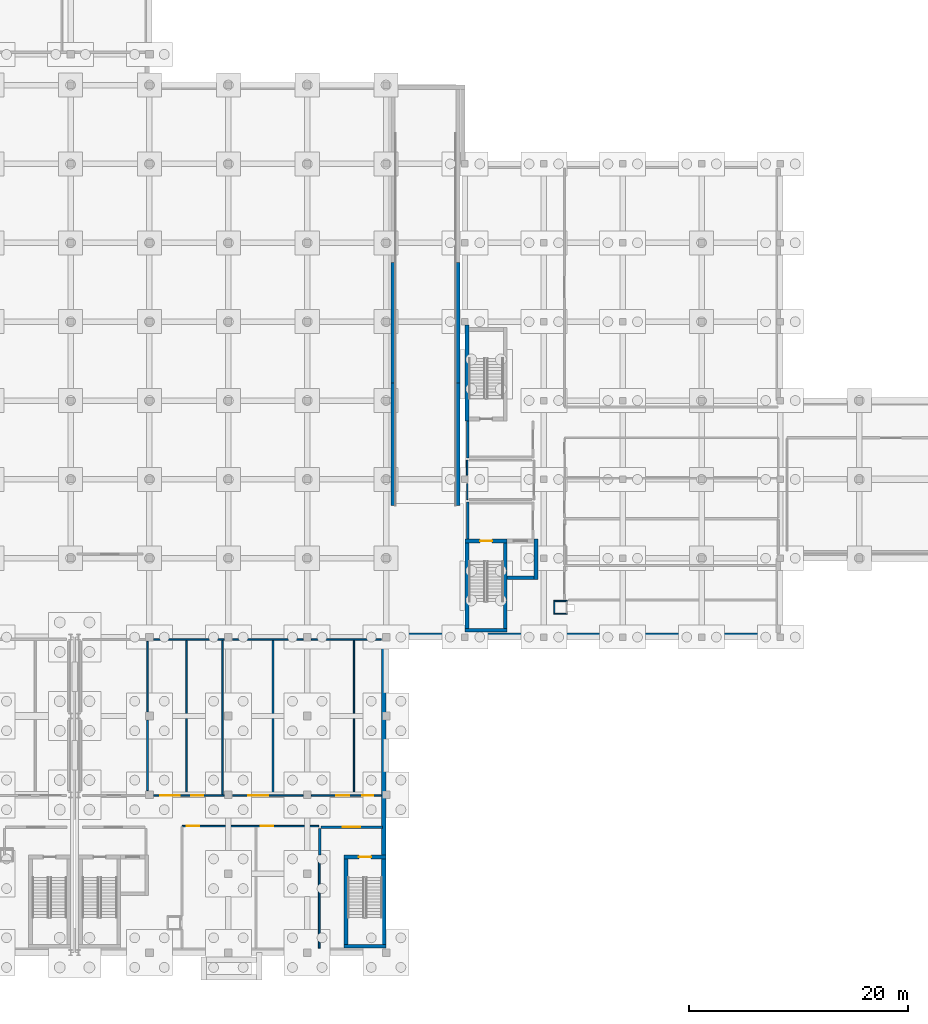
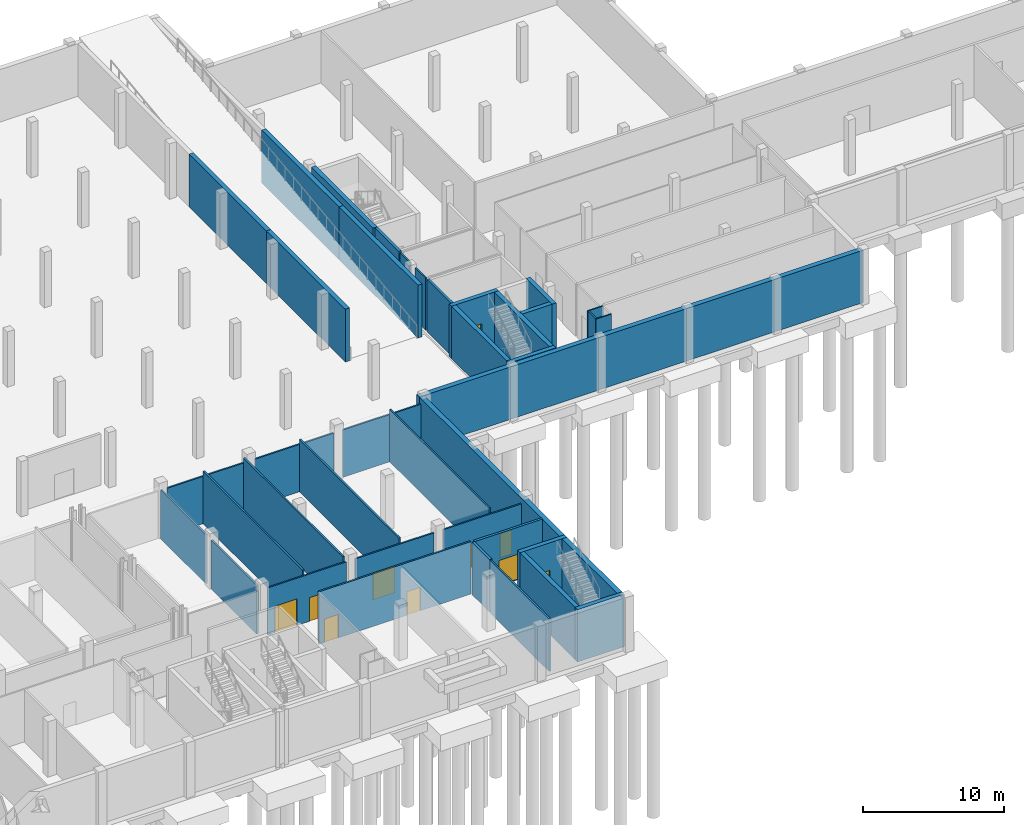
# One storey, part 19 of 35: 39 walls, 10 doors, 10 openings.
"""IFC4 building model written with IfcOpenShell, lengths in metres."""

from ifc_helpers import new_model, si_unit, direction, frame, frame_2d, origin, place, context, subcontext, project, spatial, rectangle, extrude, material, layer, layer_set, type_object, element, fill, save


model = new_model("IFC4")

# Units and contexts
model_context = context("Model", 3, precision=1e-05, world=origin(), true_north=direction((0.0, 1.0)))
body_context = subcontext(model_context, "Body", "Model", "MODEL_VIEW")
ifc_project = project(units=[si_unit("LENGTHUNIT", "METRE"), si_unit("AREAUNIT", "SQUARE_METRE"), si_unit("VOLUMEUNIT", "CUBIC_METRE"), si_unit("PLANEANGLEUNIT", "RADIAN"), si_unit("MASSUNIT", "GRAM", prefix="KILO")], contexts=[model_context])

# Site, building, storey
site_placement = place(None, origin())
site = spatial("IfcSite", under=ifc_project, at=site_placement, CompositionType="ELEMENT")
building_placement = place(site_placement, origin())
building = spatial("IfcBuilding", under=site, at=building_placement, Name="Zarrinpeak Specialist Clinic", CompositionType="ELEMENT")
storey_placement = place(building_placement, frame((0.0, 0.0, -4.800048828125)))
storey = spatial("IfcBuildingStorey", under=building, at=storey_placement, Name="B01", CompositionType="ELEMENT", Elevation=-4.800048828125)

# Wall
ifc_material_1 = material(Name="Concrete C40/50", Category="concrete")
ifc_layer_1 = layer(ifc_material_1, 0.35009765625)
ifc_layer_set_1 = layer_set([ifc_layer_1], Name="Concrete C40/50")
wall_type_1 = type_object("IfcWallType", Name="WL-CR350", PredefinedType="SHEAR", material=ifc_layer_set_1)
wall_1_placement = place(storey_placement, frame((93.60009765625, 29.425048828125, 0.0), z_axis=(0.0, 0.0, 1.0), x_axis=(1.0, 0.0, 0.0)))
element("IfcWall", 1, at=wall_1_placement, inside=storey, type_object=wall_type_1, Name="B01 Core C05 Shear Wall STS", PredefinedType="SHEAR", context=body_context, shape_type="SweptSolid", body=[
    extrude(rectangle(XDim=3.849853515625, YDim=0.35009765625, at=frame_2d((1.9248046875, 0.0))), origin(), (0.0, 0.0, 1.0), 4.545166015625),
])

# Wall, opening, door
wall_2_placement = place(storey_placement, frame((93.60009765625, 37.574951171875, 0.0), z_axis=(0.0, 0.0, 1.0), x_axis=(1.0, 0.0, 0.0)))
wall_2 = element("IfcWall", 2, at=wall_2_placement, inside=storey, type_object=wall_type_1, Name="B01 Core C05 Shear Wall STN", PredefinedType="SHEAR", context=body_context, shape_type="SweptSolid", body=[
    extrude(rectangle(XDim=3.849853515625, YDim=0.35009765625, at=frame_2d((1.9248046875, 0.0))), origin(), (0.0, 0.0, 1.0), 4.545166015625),
])
opening_1_placement = place(wall_2_placement, frame((1.375, 0.0, 0.0)))
opening_1 = element("IfcOpeningElement", 3, at=opening_1_placement, cuts=wall_2, Name="Opening D-S02", PredefinedType="OPENING", context=body_context, shape_type="SweptSolid", body=[
    extrude(rectangle(XDim=1.10009765625, YDim=2.14990234375, at=frame_2d((0.550048828125, 1.074951171875))), frame((0.0, 0.18505859375, 0.0), z_axis=(0.0, -1.0, 0.0), x_axis=(1.0, 0.0, 0.0)), (0.0, 0.0, 1.0), 0.3701171875),
])
ifc_material_2 = material(Name="Powder-Coated Galvanised Steel", Category="steel")
door_type_1 = type_object("IfcDoorType", Name="DR-FD110", OperationType="SINGLE_SWING_RIGHT", PredefinedType="DOOR", material=ifc_material_2)
door_1_placement = place(opening_1_placement, frame((1.10009765625, 0.0, 0.0), z_axis=(0.0, 0.0, 1.0), x_axis=(-1.0, 0.0, 0.0)))
door_1 = element("IfcDoor", 4, at=door_1_placement, inside=storey, type_object=door_type_1, Name="B01 Protected Stair ST-05 Fire Door", OperationType="SINGLE_SWING_RIGHT", OverallHeight=2.14990234375, OverallWidth=1.10009765625, PredefinedType="DOOR", context=body_context, shape_type="SweptSolid", body=[
    extrude(rectangle(XDim=1.10009765625, YDim=2.14990234375, at=frame_2d((0.550048828125, 1.074951171875))), frame((0.0, 0.02490234375, 0.0), z_axis=(0.0, -1.0, 0.0), x_axis=(1.0, 0.0, 0.0)), (0.0, 0.0, 1.0), 0.050048828125),
])
fill(opening_1, door_1)

# Walls
for number, where, z_axis, x_axis, name in (
    (5, (93.77490234375, 29.60009765625, 0.0), (0.0, 0.0, 1.0), (0.0, 1.0, 0.0), "B01 Core C05 Shear Wall STW"),
    (6, (97.27490234375, 29.60009765625, 0.0), (0.0, 0.0, 1.0), (0.0, 1.0, 0.0), "B01 Core C05 Shear Wall STE"),
):
    element("IfcWall", number, at=place(storey_placement, frame(where, z_axis=z_axis, x_axis=x_axis)), inside=storey, type_object=wall_type_1, Name=name, PredefinedType="SHEAR", context=body_context, shape_type="SweptSolid", body=[
        extrude(rectangle(XDim=7.7998046875, YDim=0.35009765625, at=frame_2d((3.89990234375, 0.0))), origin(), (0.0, 0.0, 1.0), 4.545166015625),
    ])
wall_3_placement = place(storey_placement, frame((97.449951171875, 34.22509765625, 0.0), z_axis=(0.0, 0.0, 1.0), x_axis=(1.0, 0.0, 0.0)))
element("IfcWall", 7, at=wall_3_placement, inside=storey, type_object=wall_type_1, Name="B01 Lift LF-P3 Shaft Wall LFS", PredefinedType="SHEAR", context=body_context, shape_type="SweptSolid", body=[
    extrude(rectangle(XDim=2.449951171875, YDim=0.35009765625, at=frame_2d((1.22509765625, 0.0))), origin(), (0.0, 0.0, 1.0), 4.545166015625),
])
wall_4_placement = place(storey_placement, frame((100.074951171875, 34.050048828125, 0.0), z_axis=(0.0, 0.0, 1.0), x_axis=(0.0, 1.0, 0.0)))
element("IfcWall", 8, at=wall_4_placement, inside=storey, type_object=wall_type_1, Name="B01 Lift LF-P3 Shaft Wall LFE", PredefinedType="SHEAR", context=body_context, shape_type="SweptSolid", body=[
    extrude(rectangle(XDim=3.699951171875, YDim=0.35009765625, at=frame_2d((1.85009765625, 0.0))), origin(), (0.0, 0.0, 1.0), 4.545166015625),
])
wall_5_placement = place(storey_placement, frame((93.77490234375, 48.550048828125, 0.0), z_axis=(0.0, 0.0, 1.0), x_axis=(0.0, 1.0, 0.0)))
element("IfcWall", 9, at=wall_5_placement, inside=storey, type_object=wall_type_1, Name="B01 Core C06 Shear Wall STW", PredefinedType="SHEAR", context=body_context, shape_type="SweptSolid", body=[
    extrude(rectangle(XDim=8.75, YDim=0.35009765625, at=frame_2d((4.375, 0.0))), origin(), (0.0, 0.0, 1.0), 4.545166015625),
])
wall_6_placement = place(storey_placement, frame((82.550048828125, 0.574951171875, 0.0), z_axis=(0.0, 0.0, 1.0), x_axis=(1.0, 0.0, 0.0)))
element("IfcWall", 10, at=wall_6_placement, inside=storey, type_object=wall_type_1, Name="B01 Core C08 Shear Wall STS", PredefinedType="SHEAR", context=body_context, shape_type="SweptSolid", body=[
    extrude(rectangle(XDim=3.849853515625, YDim=0.35009765625, at=frame_2d((1.9248046875, 0.0))), origin(), (0.0, 0.0, 1.0), 4.545166015625),
])

# Wall, opening, door
wall_7_placement = place(storey_placement, frame((82.550048828125, 8.72509765625, 0.0), z_axis=(0.0, 0.0, 1.0), x_axis=(1.0, 0.0, 0.0)))
wall_7 = element("IfcWall", 11, at=wall_7_placement, inside=storey, type_object=wall_type_1, Name="B01 Core C08 Shear Wall STN", PredefinedType="SHEAR", context=body_context, shape_type="SweptSolid", body=[
    extrude(rectangle(XDim=3.849853515625, YDim=0.35009765625, at=frame_2d((1.9248046875, 0.0))), origin(), (0.0, 0.0, 1.0), 4.545166015625),
])
opening_2_placement = place(wall_7_placement, frame((1.375, 0.0, 0.0)))
opening_2 = element("IfcOpeningElement", 12, at=opening_2_placement, cuts=wall_7, Name="Opening D-S02", PredefinedType="OPENING", context=body_context, shape_type="SweptSolid", body=[
    extrude(rectangle(XDim=1.10009765625, YDim=2.14990234375, at=frame_2d((0.550048828125, 1.074951171875))), frame((0.0, 0.18505859375, 0.0), z_axis=(0.0, -1.0, 0.0), x_axis=(1.0, 0.0, 0.0)), (0.0, 0.0, 1.0), 0.3701171875),
])
door_2_placement = place(opening_2_placement, frame((1.10009765625, 0.0, 0.0), z_axis=(0.0, 0.0, 1.0), x_axis=(-1.0, 0.0, 0.0)))
door_2 = element("IfcDoor", 13, at=door_2_placement, inside=storey, type_object=door_type_1, Name="B01 Protected Stair ST-08 Fire Door", OperationType="SINGLE_SWING_RIGHT", OverallHeight=2.14990234375, OverallWidth=1.10009765625, PredefinedType="DOOR", context=body_context, shape_type="SweptSolid", body=[
    extrude(rectangle(XDim=1.10009765625, YDim=2.14990234375, at=frame_2d((0.550048828125, 1.074951171875))), frame((0.0, 0.02490234375, 0.0), z_axis=(0.0, -1.0, 0.0), x_axis=(1.0, 0.0, 0.0)), (0.0, 0.0, 1.0), 0.050048828125),
])
fill(opening_2, door_2)

# Walls
wall_8_placement = place(storey_placement, frame((82.72509765625, 0.75, 0.0), z_axis=(0.0, 0.0, 1.0), x_axis=(0.0, 1.0, 0.0)))
element("IfcWall", 14, at=wall_8_placement, inside=storey, type_object=wall_type_1, Name="B01 Core C08 Shear Wall STW", PredefinedType="SHEAR", context=body_context, shape_type="SweptSolid", body=[
    extrude(rectangle(XDim=7.800048828125, YDim=0.35009765625, at=frame_2d((3.89990234375, 0.0))), origin(), (0.0, 0.0, 1.0), 4.545166015625),
])
ifc_material_3 = material(Name="Sanitary Service Chase Plumbing Wall", Category="gypsum")
ifc_layer_2 = layer(ifc_material_3, 0.110107421875)
ifc_layer_set_2 = layer_set([ifc_layer_2], Name="Sanitary Service Chase Plumbing Wall")
wall_type_2 = type_object("IfcWallType", Name="WL-IW110", PredefinedType="PARTITIONING", material=ifc_layer_set_2)
for number, where, z_axis, x_axis, name in (
    (15, (101.68994140625, 30.945068359375, 0.0), (0.0, 0.0, 1.0), (1.0, 0.0, 0.0), "B01 V3 Enclosed MEP Service Riser Wall S"),
    (16, (101.68994140625, 32.10498046875, 0.0), (0.0, 0.0, 1.0), (1.0, 0.0, 0.0), "B01 V3 Enclosed MEP Service Riser Wall N"),
):
    element("IfcWall", number, at=place(storey_placement, frame(where, z_axis=z_axis, x_axis=x_axis)), inside=storey, type_object=wall_type_2, Name=name, PredefinedType="PARTITIONING", context=body_context, shape_type="SweptSolid", body=[
        extrude(rectangle(XDim=1.27001953125, YDim=0.110107421875, at=frame_2d((0.635009765625, 0.0))), origin(), (0.0, 0.0, 1.0), 4.5400390625),
    ])
wall_9_placement = place(storey_placement, frame((101.7451171875, 31.0, 0.0), z_axis=(0.0, 0.0, 1.0), x_axis=(0.0, 1.0, 0.0)))
element("IfcWall", 17, at=wall_9_placement, inside=storey, type_object=wall_type_2, Name="B01 V3 Enclosed MEP Service Riser Wall W", PredefinedType="PARTITIONING", context=body_context, shape_type="SweptSolid", body=[
    extrude(rectangle(XDim=1.050048828125, YDim=0.110107421875, at=frame_2d((0.52490234375, 0.0))), origin(), (0.0, 0.0, 1.0), 4.5400390625),
])
wall_10_placement = place(storey_placement, frame((93.800048828125, 41.35009765625, 0.0), z_axis=(0.0, 0.0, 1.0), x_axis=(0.0, 1.0, 0.0)))
element("IfcWall", 18, at=wall_10_placement, inside=storey, type_object=wall_type_2, Name="B01 B01 V3 Assisted Rehab Washroom Dividing Partition", PredefinedType="PARTITIONING", context=body_context, shape_type="SweptSolid", body=[
    extrude(rectangle(XDim=1.469970703125, YDim=0.110107421875, at=frame_2d((0.73486328125, 0.0))), origin(), (0.0, 0.0, 1.0), 4.545166015625),
])

# Wall, openings, doors
ifc_material_4 = material(Name="Moisture-Resistant Wet-Room Partition", Category="gypsum")
ifc_layer_3 = layer(ifc_material_4, 0.125)
ifc_layer_set_3 = layer_set([ifc_layer_3], Name="Moisture-Resistant Wet-Room Partition")
wall_type_3 = type_object("IfcWallType", Name="WL-IW125W", PredefinedType="PARTITIONING", material=ifc_layer_set_3)
wall_11_placement = place(storey_placement, frame((65.179931640625, 14.35009765625, 0.0), z_axis=(0.0, 0.0, 1.0), x_axis=(1.0, 0.0, 0.0)))
wall_11 = element("IfcWall", 19, at=wall_11_placement, inside=storey, type_object=wall_type_3, Name="B01 Accessible CSSD Staff WC Partition", PredefinedType="PARTITIONING", context=body_context, shape_type="SweptSolid", body=[
    extrude(rectangle(XDim=6.440185546875, YDim=0.125, at=frame_2d((3.22021484375, 0.0))), origin(), (0.0, 0.0, 1.0), 4.094970703125),
])
opening_3_placement = place(wall_11_placement, frame((3.43994140625, 0.0, 0.0)))
opening_3 = element("IfcOpeningElement", 20, at=opening_3_placement, cuts=wall_11, Name="Opening DS-09", PredefinedType="OPENING", context=body_context, shape_type="SweptSolid", body=[
    extrude(rectangle(XDim=1.087890625, YDim=2.0400390625, at=frame_2d((0.5439453125, 1.02001953125))), frame((0.0, 0.072509765625, 0.0), z_axis=(0.0, -1.0, 0.0), x_axis=(1.0, 0.0, 0.0)), (0.0, 0.0, 1.0), 0.14501953125),
])
opening_4_placement = place(wall_11_placement, frame((0.594970703125, 0.0, 0.0)))
opening_4 = element("IfcOpeningElement", 21, at=opening_4_placement, cuts=wall_11, Name="Opening D-P01", PredefinedType="OPENING", context=body_context, shape_type="SweptSolid", body=[
    extrude(rectangle(XDim=1.800048828125, YDim=2.300048828125, at=frame_2d((0.89990234375, 1.14990234375))), frame((0.0, 0.072509765625, 0.0), z_axis=(0.0, -1.0, 0.0), x_axis=(1.0, 0.0, 0.0)), (0.0, 0.0, 1.0), 0.14501953125),
])
door_type_2 = type_object("IfcDoorType", Name="DR-PLT180", OperationType="DOUBLE_DOOR_SINGLE_SWING", PredefinedType="DOOR", material=ifc_material_2)
door_3_placement = place(opening_4_placement, frame((1.800048828125, 0.0, 0.0), z_axis=(0.0, 0.0, 1.0), x_axis=(-1.0, 0.0, 0.0)))
door_3 = element("IfcDoor", 22, at=door_3_placement, inside=storey, type_object=door_type_2, Name="B01 Endoscope Decontamination Plant Door", OperationType="DOUBLE_DOOR_SINGLE_SWING", OverallHeight=2.300048828125, OverallWidth=1.800048828125, PredefinedType="DOOR", context=body_context, shape_type="SweptSolid", body=[
    extrude(rectangle(XDim=1.800048828125, YDim=2.300048828125, at=frame_2d((0.89990234375, 1.14990234375))), frame((0.0, 0.02490234375, 0.0), z_axis=(0.0, -1.0, 0.0), x_axis=(1.0, 0.0, 0.0)), (0.0, 0.0, 1.0), 0.050048828125),
])
fill(opening_4, door_3)
door_type_3 = type_object("IfcDoorType", Name="DR-SP09", OperationType="SINGLE_SWING_RIGHT", PredefinedType="DOOR", material=ifc_material_2)
door_4_placement = place(opening_3_placement, frame((1.087890625, 0.0, 0.0), z_axis=(0.0, 0.0, 1.0), x_axis=(-1.0, 0.0, 0.0)))
door_4 = element("IfcDoor", 23, at=door_4_placement, inside=storey, type_object=door_type_3, Name="B01 Central Sterile Supply CSSD Door", OperationType="SINGLE_SWING_RIGHT", OverallHeight=2.0400390625, OverallWidth=1.087890625, PredefinedType="DOOR", context=body_context, shape_type="SweptSolid", body=[
    extrude(rectangle(XDim=1.087890625, YDim=2.0400390625, at=frame_2d((0.5439453125, 1.02001953125))), frame((0.0, 0.02490234375, 0.0), z_axis=(0.0, -1.0, 0.0), x_axis=(1.0, 0.0, 0.0)), (0.0, 0.0, 1.0), 0.050048828125),
])
fill(opening_3, door_4)

# Wall, opening, door
wall_12_placement = place(storey_placement, frame((72.3798828125, 14.35009765625, 0.0), z_axis=(0.0, 0.0, 1.0), x_axis=(1.0, 0.0, 0.0)))
wall_12 = element("IfcWall", 24, at=wall_12_placement, inside=storey, type_object=wall_type_3, Name="B01 Accessible CSSD Staff WC Partition", PredefinedType="PARTITIONING", context=body_context, shape_type="SweptSolid", body=[
    extrude(rectangle(XDim=6.440185546875, YDim=0.125, at=frame_2d((3.22021484375, 0.0))), origin(), (0.0, 0.0, 1.0), 4.094970703125),
])
opening_5_placement = place(wall_12_placement, frame((1.43994140625, 0.0, 0.0)))
opening_5 = element("IfcOpeningElement", 25, at=opening_5_placement, cuts=wall_12, Name="Opening D-P01", PredefinedType="OPENING", context=body_context, shape_type="SweptSolid", body=[
    extrude(rectangle(XDim=1.800048828125, YDim=2.300048828125, at=frame_2d((0.89990234375, 1.14990234375))), frame((0.0, 0.072509765625, 0.0), z_axis=(0.0, -1.0, 0.0), x_axis=(1.0, 0.0, 0.0)), (0.0, 0.0, 1.0), 0.14501953125),
])
door_5_placement = place(opening_5_placement, frame((1.800048828125, 0.0, 0.0), z_axis=(0.0, 0.0, 1.0), x_axis=(-1.0, 0.0, 0.0)))
door_5 = element("IfcDoor", 26, at=door_5_placement, inside=storey, type_object=door_type_2, Name="B01 Sterile Instrument Store Door", OperationType="DOUBLE_DOOR_SINGLE_SWING", OverallHeight=2.300048828125, OverallWidth=1.800048828125, PredefinedType="DOOR", context=body_context, shape_type="SweptSolid", body=[
    extrude(rectangle(XDim=1.800048828125, YDim=2.300048828125, at=frame_2d((0.89990234375, 1.14990234375))), frame((0.0, 0.02490234375, 0.0), z_axis=(0.0, -1.0, 0.0), x_axis=(1.0, 0.0, 0.0)), (0.0, 0.0, 1.0), 0.050048828125),
])
fill(opening_5, door_5)

# Wall, openings, doors
wall_13_placement = place(storey_placement, frame((79.580078125, 14.35009765625, 0.0), z_axis=(0.0, 0.0, 1.0), x_axis=(1.0, 0.0, 0.0)))
wall_13 = element("IfcWall", 27, at=wall_13_placement, inside=storey, type_object=wall_type_3, Name="B01 Accessible CSSD Staff WC Partition", PredefinedType="PARTITIONING", context=body_context, shape_type="SweptSolid", body=[
    extrude(rectangle(XDim=6.39990234375, YDim=0.125, at=frame_2d((3.199951171875, 0.0))), origin(), (0.0, 0.0, 1.0), 4.094970703125),
])
opening_6_placement = place(wall_13_placement, frame((4.64501953125, 0.0, 0.0)))
opening_6 = element("IfcOpeningElement", 28, at=opening_6_placement, cuts=wall_13, Name="Opening D-W02", PredefinedType="OPENING", context=body_context, shape_type="SweptSolid", body=[
    extrude(rectangle(XDim=1.0, YDim=2.10009765625, at=frame_2d((0.5, 1.050048828125))), frame((0.0, 0.072509765625, 0.0), z_axis=(0.0, -1.0, 0.0), x_axis=(1.0, 0.0, 0.0)), (0.0, 0.0, 1.0), 0.14501953125),
])
opening_7_placement = place(wall_13_placement, frame((2.248046875, 0.0, 0.0)))
opening_7 = element("IfcOpeningElement", 29, at=opening_7_placement, cuts=wall_13, Name="Opening DS-13", PredefinedType="OPENING", context=body_context, shape_type="SweptSolid", body=[
    extrude(rectangle(XDim=1.19189453125, YDim=2.0400390625, at=frame_2d((0.595947265625, 1.02001953125))), frame((0.0, 0.072509765625, 0.0), z_axis=(0.0, -1.0, 0.0), x_axis=(1.0, 0.0, 0.0)), (0.0, 0.0, 1.0), 0.14501953125),
])
door_type_4 = type_object("IfcDoorType", Name="DR-AWC100", OperationType="SLIDING_TO_LEFT", PredefinedType="DOOR", material=ifc_material_2)
door_6_placement = place(opening_6_placement, frame((1.0, 0.0, 0.0), z_axis=(0.0, 0.0, 1.0), x_axis=(-1.0, 0.0, 0.0)))
door_6 = element("IfcDoor", 30, at=door_6_placement, inside=storey, type_object=door_type_4, Name="B01 Accessible CSSD Staff WC Door", OperationType="SLIDING_TO_LEFT", OverallHeight=2.10009765625, OverallWidth=1.0, PredefinedType="DOOR", context=body_context, shape_type="SweptSolid", body=[
    extrude(rectangle(XDim=1.0, YDim=2.10009765625, at=frame_2d((0.5, 1.050048828125))), frame((0.0, 0.02490234375, 0.0), z_axis=(0.0, -1.0, 0.0), x_axis=(1.0, 0.0, 0.0)), (0.0, 0.0, 1.0), 0.050048828125),
])
fill(opening_6, door_6)
door_type_5 = type_object("IfcDoorType", Name="DR-SP13", OperationType="SINGLE_SWING_RIGHT", PredefinedType="DOOR", material=ifc_material_2)
door_7_placement = place(opening_7_placement, frame((1.19189453125, 0.0, 0.0), z_axis=(0.0, 0.0, 1.0), x_axis=(-1.0, 0.0, 0.0)))
door_7 = element("IfcDoor", 31, at=door_7_placement, inside=storey, type_object=door_type_5, Name="B01 Specialist Consultation Room 4 Door", OperationType="SINGLE_SWING_RIGHT", OverallHeight=2.0400390625, OverallWidth=1.19189453125, PredefinedType="DOOR", context=body_context, shape_type="SweptSolid", body=[
    extrude(rectangle(XDim=1.19189453125, YDim=2.0400390625, at=frame_2d((0.595947265625, 1.02001953125))), frame((0.0, 0.02490234375, 0.0), z_axis=(0.0, -1.0, 0.0), x_axis=(1.0, 0.0, 0.0)), (0.0, 0.0, 1.0), 0.050048828125),
])
fill(opening_7, door_7)

# Walls
for number, where, z_axis, x_axis, name in (
    (32, (65.179931640625, 28.60009765625, 0.0), (0.0, 0.0, 1.0), (1.0, 0.0, 0.0), "B01 Accessible CSSD Staff WC Partition"),
    (33, (72.3798828125, 28.60009765625, 0.0), (0.0, 0.0, 1.0), (1.0, 0.0, 0.0), "B01 Accessible CSSD Staff WC Partition"),
):
    element("IfcWall", number, at=place(storey_placement, frame(where, z_axis=z_axis, x_axis=x_axis)), inside=storey, type_object=wall_type_3, Name=name, PredefinedType="PARTITIONING", context=body_context, shape_type="SweptSolid", body=[
        extrude(rectangle(XDim=6.440185546875, YDim=0.125, at=frame_2d((3.22021484375, 0.0))), origin(), (0.0, 0.0, 1.0), 4.094970703125),
    ])
wall_14_placement = place(storey_placement, frame((79.580078125, 28.60009765625, 0.0), z_axis=(0.0, 0.0, 1.0), x_axis=(1.0, 0.0, 0.0)))
element("IfcWall", 34, at=wall_14_placement, inside=storey, type_object=wall_type_3, Name="B01 Accessible CSSD Staff WC Partition", PredefinedType="PARTITIONING", context=body_context, shape_type="SweptSolid", body=[
    extrude(rectangle(XDim=6.39990234375, YDim=0.125, at=frame_2d((3.199951171875, 0.0))), origin(), (0.0, 0.0, 1.0), 4.094970703125),
])
wall_15_placement = place(storey_placement, frame((83.469970703125, 14.41259765625, 0.0), z_axis=(0.0, 0.0, 1.0), x_axis=(0.0, 1.0, 0.0)))
element("IfcWall", 35, at=wall_15_placement, inside=storey, type_object=wall_type_3, Name="B01 Accessible CSSD Staff WC Dividing Partition", PredefinedType="PARTITIONING", context=body_context, shape_type="SweptSolid", body=[
    extrude(rectangle(XDim=14.125, YDim=0.125, at=frame_2d((7.0625, 0.0))), origin(), (0.0, 0.0, 1.0), 4.545166015625),
])
wall_16_placement = place(storey_placement, frame((93.800048828125, 43.580078125, 0.0), z_axis=(0.0, 0.0, 1.0), x_axis=(0.0, 1.0, 0.0)))
element("IfcWall", 36, at=wall_16_placement, inside=storey, type_object=wall_type_3, Name="B01 B01 V3 Assisted Rehab Washroom Dividing Partition", PredefinedType="PARTITIONING", context=body_context, shape_type="SweptSolid", body=[
    extrude(rectangle(XDim=1.369873046875, YDim=0.125, at=frame_2d((0.68505859375, 0.0))), origin(), (0.0, 0.0, 1.0), 4.545166015625),
])
ifc_material_5 = material(Name="Standard Drywall Partition", Category="gypsum")
ifc_layer_4 = layer(ifc_material_5, 0.135009765625)
ifc_layer_set_4 = layer_set([ifc_layer_4], Name="Standard Drywall Partition")
wall_type_4 = type_object("IfcWallType", Name="WL-IW135", PredefinedType="PARTITIONING", material=ifc_layer_set_4)
wall_17_placement = place(storey_placement, frame((64.6201171875, 21.97998046875, 0.0), z_axis=(0.0, 0.0, 1.0), x_axis=(0.0, 1.0, 0.0)))
element("IfcWall", 37, at=wall_17_placement, inside=storey, type_object=wall_type_4, Name="B01 Endoscope Decontamination Plant Dividing Partition", PredefinedType="PARTITIONING", context=body_context, shape_type="SweptSolid", body=[
    extrude(rectangle(XDim=6.43994140625, YDim=0.135009765625, at=frame_2d((3.219970703125, 0.0))), origin(), (0.0, 0.0, 1.0), 4.2451171875),
])
wall_18_placement = place(storey_placement, frame((71.469970703125, 14.41259765625, 0.0), z_axis=(0.0, 0.0, 1.0), x_axis=(0.0, 1.0, 0.0)))
element("IfcWall", 38, at=wall_18_placement, inside=storey, type_object=wall_type_4, Name="B01 Central Sterile Supply CSSD Dividing Partition", PredefinedType="PARTITIONING", context=body_context, shape_type="SweptSolid", body=[
    extrude(rectangle(XDim=14.125, YDim=0.135009765625, at=frame_2d((7.0625, 0.0))), origin(), (0.0, 0.0, 1.0), 4.545166015625),
])

# Wall, openings, doors
ifc_material_6 = material(Name="Acoustic Consultation Stud Partition", Category="gypsum")
ifc_layer_5 = layer(ifc_material_6, 0.14208984375)
ifc_layer_set_5 = layer_set([ifc_layer_5], Name="Acoustic Consultation Stud Partition")
wall_type_5 = type_object("IfcWallType", Name="WL-IW142", PredefinedType="PARTITIONING", material=ifc_layer_set_5)
wall_19_placement = place(storey_placement, frame((67.77001953125, 11.550048828125, 0.0), z_axis=(0.0, 0.0, 1.0), x_axis=(1.0, 0.0, 0.0)))
wall_19 = element("IfcWall", 39, at=wall_19_placement, inside=storey, type_object=wall_type_5, Name="B01 Specialist Consultation Room 1 Partition", PredefinedType="PARTITIONING", context=body_context, shape_type="SweptSolid", body=[
    extrude(rectangle(XDim=12.4599609375, YDim=0.14208984375, at=frame_2d((6.22998046875, 0.0))), origin(), (0.0, 0.0, 1.0), 4.545166015625),
])
opening_8_placement = place(wall_19_placement, frame((7.199951171875, 0.0, 0.0)))
opening_8 = element("IfcOpeningElement", 40, at=opening_8_placement, cuts=wall_19, Name="Opening DS-10", PredefinedType="OPENING", context=body_context, shape_type="SweptSolid", body=[
    extrude(rectangle(XDim=1.114013671875, YDim=2.0400390625, at=frame_2d((0.55712890625, 1.02001953125))), frame((0.0, 0.0810546875, 0.0), z_axis=(0.0, -1.0, 0.0), x_axis=(1.0, 0.0, 0.0)), (0.0, 0.0, 1.0), 0.162109375),
])
opening_9_placement = place(wall_19_placement, frame((0.449951171875, 0.0, 0.0)))
opening_9 = element("IfcOpeningElement", 41, at=opening_9_placement, cuts=wall_19, Name="Opening DS-11", PredefinedType="OPENING", context=body_context, shape_type="SweptSolid", body=[
    extrude(rectangle(XDim=1.139892578125, YDim=2.0400390625, at=frame_2d((0.56982421875, 1.02001953125))), frame((0.0, 0.0810546875, 0.0), z_axis=(0.0, -1.0, 0.0), x_axis=(1.0, 0.0, 0.0)), (0.0, 0.0, 1.0), 0.162109375),
])
door_type_6 = type_object("IfcDoorType", Name="DR-SP10", OperationType="SINGLE_SWING_LEFT", PredefinedType="DOOR", material=ifc_material_2)
door_8_placement = place(opening_8_placement, origin())
door_8 = element("IfcDoor", 42, at=door_8_placement, inside=storey, type_object=door_type_6, Name="B01 Specialist Consultation Room 1 Door", OperationType="SINGLE_SWING_LEFT", OverallHeight=2.0400390625, OverallWidth=1.114013671875, PredefinedType="DOOR", context=body_context, shape_type="SweptSolid", body=[
    extrude(rectangle(XDim=1.114013671875, YDim=2.0400390625, at=frame_2d((0.55712890625, 1.02001953125))), frame((0.0, 0.02490234375, 0.0), z_axis=(0.0, -1.0, 0.0), x_axis=(1.0, 0.0, 0.0)), (0.0, 0.0, 1.0), 0.050048828125),
])
fill(opening_8, door_8)
door_type_7 = type_object("IfcDoorType", Name="DR-SP11", OperationType="SINGLE_SWING_RIGHT", PredefinedType="DOOR", material=ifc_material_2)
door_9_placement = place(opening_9_placement, origin())
door_9 = element("IfcDoor", 43, at=door_9_placement, inside=storey, type_object=door_type_7, Name="B01 Specialist Consultation Room 2 Door", OperationType="SINGLE_SWING_RIGHT", OverallHeight=2.0400390625, OverallWidth=1.139892578125, PredefinedType="DOOR", context=body_context, shape_type="SweptSolid", body=[
    extrude(rectangle(XDim=1.139892578125, YDim=2.0400390625, at=frame_2d((0.56982421875, 1.02001953125))), frame((0.0, 0.02490234375, 0.0), z_axis=(0.0, -1.0, 0.0), x_axis=(1.0, 0.0, 0.0)), (0.0, 0.0, 1.0), 0.050048828125),
])
fill(opening_9, door_9)

# Walls
wall_20_placement = place(storey_placement, frame((64.6201171875, 14.780029296875, 0.0), z_axis=(0.0, 0.0, 1.0), x_axis=(0.0, 1.0, 0.0)))
element("IfcWall", 44, at=wall_20_placement, inside=storey, type_object=wall_type_5, Name="B01 Endoscope Decontamination Plant Dividing Partition", PredefinedType="PARTITIONING", context=body_context, shape_type="SweptSolid", body=[
    extrude(rectangle(XDim=6.43994140625, YDim=0.14208984375, at=frame_2d((3.219970703125, 0.0))), origin(), (0.0, 0.0, 1.0), 4.2451171875),
])
wall_21_placement = place(storey_placement, frame((68.169921875, 14.41259765625, 0.0), z_axis=(0.0, 0.0, 1.0), x_axis=(0.0, 1.0, 0.0)))
element("IfcWall", 45, at=wall_21_placement, inside=storey, type_object=wall_type_5, Name="B01 Central Sterile Supply CSSD Dividing Partition", PredefinedType="PARTITIONING", context=body_context, shape_type="SweptSolid", body=[
    extrude(rectangle(XDim=14.125, YDim=0.14208984375, at=frame_2d((7.0625, 0.0))), origin(), (0.0, 0.0, 1.0), 4.545166015625),
])
wall_22_placement = place(storey_placement, frame((80.300048828125, 0.39990234375, 0.0), z_axis=(0.0, 0.0, 1.0), x_axis=(0.0, 1.0, 0.0)))
element("IfcWall", 46, at=wall_22_placement, inside=storey, type_object=wall_type_5, Name="B01 Specialist Consultation Room 1 Dividing Partition", PredefinedType="PARTITIONING", context=body_context, shape_type="SweptSolid", body=[
    extrude(rectangle(XDim=8.400146484375, YDim=0.14208984375, at=frame_2d((4.2001953125, 0.0))), origin(), (0.0, 0.0, 1.0), 4.545166015625),
])
ifc_material_7 = material(Name="Insulated Clinical Gypsum Stud Partition", Category="gypsum")
ifc_layer_6 = layer(ifc_material_7, 0.14990234375)
ifc_layer_set_6 = layer_set([ifc_layer_6], Name="Insulated Clinical Gypsum Stud Partition")
wall_type_6 = type_object("IfcWallType", Name="WL-IW150", PredefinedType="PARTITIONING", material=ifc_layer_set_6)
wall_23_placement = place(storey_placement, frame((76.070068359375, 14.41259765625, 0.0), z_axis=(0.0, 0.0, 1.0), x_axis=(0.0, 1.0, 0.0)))
element("IfcWall", 47, at=wall_23_placement, inside=storey, type_object=wall_type_6, Name="B01 Sterile Instrument Store Dividing Partition", PredefinedType="PARTITIONING", context=body_context, shape_type="SweptSolid", body=[
    extrude(rectangle(XDim=14.125, YDim=0.14990234375, at=frame_2d((7.0625, 0.0))), origin(), (0.0, 0.0, 1.0), 4.545166015625),
])
ifc_material_8 = material(Name="Autoclaved Aerated Concrete Blockwork", Category="masonry")
ifc_layer_7 = layer(ifc_material_8, 0.199951171875)
ifc_layer_set_7 = layer_set([ifc_layer_7], Name="Autoclaved Aerated Concrete Blockwork")
wall_type_7 = type_object("IfcWallType", Name="WL-IW200", PredefinedType="PARTITIONING", material=ifc_layer_set_7)
wall_24_placement = place(storey_placement, frame((93.85009765625, 37.75, 0.0), z_axis=(0.0, 0.0, 1.0), x_axis=(0.0, 1.0, 0.0)))
element("IfcWall", 48, at=wall_24_placement, inside=storey, type_object=wall_type_7, Name="B01 C05 Protected Lobby Partition LBW", PredefinedType="PARTITIONING", context=body_context, shape_type="SweptSolid", body=[
    extrude(rectangle(XDim=3.39990234375, YDim=0.199951171875, at=frame_2d((1.699951171875, 0.0))), origin(), (0.0, 0.0, 1.0), 4.545166015625),
])
wall_25_placement = place(storey_placement, frame((93.85009765625, 45.14990234375, 0.0), z_axis=(0.0, 0.0, 1.0), x_axis=(0.0, 1.0, 0.0)))
element("IfcWall", 49, at=wall_25_placement, inside=storey, type_object=wall_type_7, Name="B01 C06 Protected Lobby Partition LBW", PredefinedType="PARTITIONING", context=body_context, shape_type="SweptSolid", body=[
    extrude(rectangle(XDim=3.400146484375, YDim=0.199951171875, at=frame_2d((1.7001953125, 0.0))), origin(), (0.0, 0.0, 1.0), 4.545166015625),
])

# Wall, opening, door
wall_26_placement = place(storey_placement, frame((80.449951171875, 11.449951171875, 0.0), z_axis=(0.0, 0.0, 1.0), x_axis=(1.0, 0.0, 0.0)))
wall_26 = element("IfcWall", 50, at=wall_26_placement, inside=storey, type_object=wall_type_7, Name="B01 C08 Protected Lobby Partition LBF", PredefinedType="PARTITIONING", context=body_context, shape_type="SweptSolid", body=[
    extrude(rectangle(XDim=5.60009765625, YDim=0.199951171875, at=frame_2d((2.800048828125, 0.0))), origin(), (0.0, 0.0, 1.0), 4.545166015625),
])
opening_10_placement = place(wall_26_placement, frame((2.0, 0.0, 0.0)))
opening_10 = element("IfcOpeningElement", 51, at=opening_10_placement, cuts=wall_26, Name="Opening D-L01", PredefinedType="OPENING", context=body_context, shape_type="SweptSolid", body=[
    extrude(rectangle(XDim=1.60009765625, YDim=2.199951171875, at=frame_2d((0.800048828125, 1.10009765625))), frame((0.0, 0.10986328125, 0.0), z_axis=(0.0, -1.0, 0.0), x_axis=(1.0, 0.0, 0.0)), (0.0, 0.0, 1.0), 0.219970703125),
])
door_type_8 = type_object("IfcDoorType", Name="DR-LB160", OperationType="DOUBLE_DOOR_SINGLE_SWING", PredefinedType="DOOR", material=ifc_material_2)
door_10_placement = place(opening_10_placement, origin())
door_10 = element("IfcDoor", 52, at=door_10_placement, inside=storey, type_object=door_type_8, Name="B01 C08 Lobby Hold-Open Fire Door", OperationType="DOUBLE_DOOR_SINGLE_SWING", OverallHeight=2.199951171875, OverallWidth=1.60009765625, PredefinedType="DOOR", context=body_context, shape_type="SweptSolid", body=[
    extrude(rectangle(XDim=1.60009765625, YDim=2.199951171875, at=frame_2d((0.800048828125, 1.10009765625))), frame((0.0, 0.02490234375, 0.0), z_axis=(0.0, -1.0, 0.0), x_axis=(1.0, 0.0, 0.0)), (0.0, 0.0, 1.0), 0.050048828125),
])
fill(opening_10, door_10)

# Walls
wall_27_placement = place(storey_placement, frame((80.35009765625, 8.89990234375, 0.0), z_axis=(0.0, 0.0, 1.0), x_axis=(0.0, 1.0, 0.0)))
element("IfcWall", 53, at=wall_27_placement, inside=storey, type_object=wall_type_7, Name="B01 C08 Protected Lobby Partition LBW", PredefinedType="PARTITIONING", context=body_context, shape_type="SweptSolid", body=[
    extrude(rectangle(XDim=2.4501953125, YDim=0.199951171875, at=frame_2d((1.22509765625, 0.0))), origin(), (0.0, 0.0, 1.0), 4.545166015625),
])
ifc_layer_8 = layer(ifc_material_1, 0.35009765625)
ifc_layer_set_8 = layer_set([ifc_layer_8], Name="Concrete C40/50")
wall_type_8 = type_object("IfcWallType", Name="WL-RET350", PredefinedType="USERDEFINED", material=ifc_layer_set_8)
wall_28_placement = place(storey_placement, frame((87.02490234375, 40.800048828125, 0.0), z_axis=(0.0, 0.0, 1.0), x_axis=(0.0, 1.0, 0.0)))
element("IfcWall", 54, at=wall_28_placement, inside=storey, type_object=wall_type_8, Name="B01 Vehicle Ramp Retaining Wall RW-RMP-01", ObjectType="RETAININGWALL", PredefinedType="USERDEFINED", context=body_context, shape_type="SweptSolid", body=[
    extrude(rectangle(XDim=11.199951171875, YDim=0.35009765625, at=frame_2d((5.60009765625, 0.0))), origin(), (0.0, 0.0, 1.0), 4.580078125),
])
wall_29_placement = place(storey_placement, frame((87.02490234375, 52.0, 0.0), z_axis=(0.0, 0.0, 1.0), x_axis=(0.0, 1.0, 0.0)))
element("IfcWall", 55, at=wall_29_placement, inside=storey, type_object=wall_type_8, Name="B01 Vehicle Ramp Retaining Wall RW-RMP-02", ObjectType="RETAININGWALL", PredefinedType="USERDEFINED", context=body_context, shape_type="SweptSolid", body=[
    extrude(rectangle(XDim=11.0, YDim=0.35009765625, at=frame_2d((5.5, 0.0))), origin(), (0.0, 0.0, 1.0), 4.580078125),
])
wall_30_placement = place(storey_placement, frame((92.97509765625, 40.800048828125, 0.0), z_axis=(0.0, 0.0, 1.0), x_axis=(0.0, 1.0, 0.0)))
element("IfcWall", 56, at=wall_30_placement, inside=storey, type_object=wall_type_8, Name="B01 Vehicle Ramp Retaining Wall RW-RMP-04", ObjectType="RETAININGWALL", PredefinedType="USERDEFINED", context=body_context, shape_type="SweptSolid", body=[
    extrude(rectangle(XDim=11.199951171875, YDim=0.35009765625, at=frame_2d((5.60009765625, 0.0))), origin(), (0.0, 0.0, 1.0), 4.580078125),
])
wall_31_placement = place(storey_placement, frame((92.97509765625, 52.0, 0.0), z_axis=(0.0, 0.0, 1.0), x_axis=(0.0, 1.0, 0.0)))
element("IfcWall", 57, at=wall_31_placement, inside=storey, type_object=wall_type_8, Name="B01 Vehicle Ramp Retaining Wall RW-RMP-05", ObjectType="RETAININGWALL", PredefinedType="USERDEFINED", context=body_context, shape_type="SweptSolid", body=[
    extrude(rectangle(XDim=11.0, YDim=0.35009765625, at=frame_2d((5.5, 0.0))), origin(), (0.0, 0.0, 1.0), 4.580078125),
])
ifc_layer_9 = layer(ifc_material_1, 0.39990234375)
ifc_layer_set_9 = layer_set([ifc_layer_9], Name="Concrete C40/50")
wall_type_9 = type_object("IfcWallType", Name="WL-RET400", PredefinedType="USERDEFINED", material=ifc_layer_set_9)
wall_32_placement = place(storey_placement, frame((86.199951171875, 0.39990234375, 0.0), z_axis=(0.0, 0.0, 1.0), x_axis=(0.0, 1.0, 0.0)))
element("IfcWall", 58, at=wall_32_placement, inside=storey, type_object=wall_type_9, Name="B01 Substructure Retaining Wall RW-B01-002", ObjectType="RETAININGWALL", PredefinedType="USERDEFINED", context=body_context, shape_type="SweptSolid", body=[
    extrude(rectangle(XDim=28.400146484375, YDim=0.39990234375, at=frame_2d((14.2001953125, 0.0))), origin(), (0.0, 0.0, 1.0), 4.545166015625),
])
wall_33_placement = place(storey_placement, frame((86.0, 29.0, 0.0), z_axis=(0.0, 0.0, 1.0), x_axis=(1.0, 0.0, 0.0)))
element("IfcWall", 59, at=wall_33_placement, inside=storey, type_object=wall_type_9, Name="B01 Substructure Retaining Wall RW-B01-003", ObjectType="RETAININGWALL", PredefinedType="USERDEFINED", context=body_context, shape_type="SweptSolid", body=[
    extrude(rectangle(XDim=36.39990234375, YDim=0.39990234375, at=frame_2d((18.199951171875, 0.0))), origin(), (0.0, 0.0, 1.0), 4.545166015625),
])

save(model, "model.ifc")
